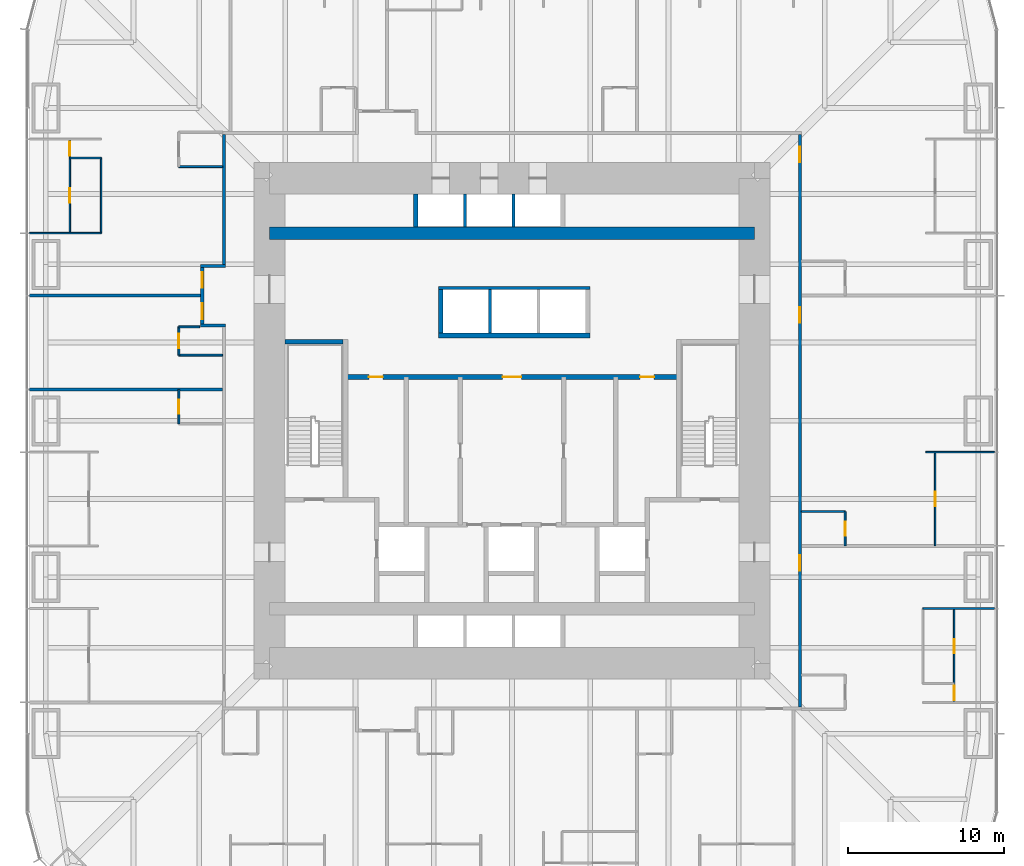
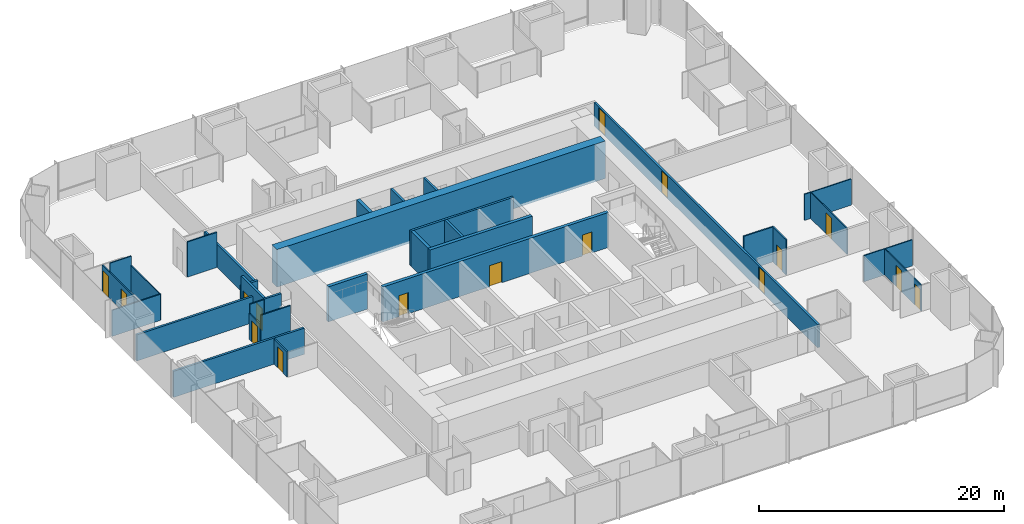
# One storey, part 14 of 17: 32 walls, 16 doors, 16 openings.
"""IFC4 building model written with IfcOpenShell, lengths in metres."""

from ifc_helpers import new_model, si_unit, direction, frame, frame_2d, origin, place, context, subcontext, project, spatial, rectangle, extrude, material, layer, layer_set, type_object, element, fill, save


model = new_model("IFC4")

# Units and contexts
model_context = context("Model", 3, precision=1e-05, world=origin(), true_north=direction((0.0, 1.0)))
body_context = subcontext(model_context, "Body", "Model", "MODEL_VIEW")
ifc_project = project(units=[si_unit("LENGTHUNIT", "METRE"), si_unit("AREAUNIT", "SQUARE_METRE"), si_unit("VOLUMEUNIT", "CUBIC_METRE"), si_unit("PLANEANGLEUNIT", "RADIAN"), si_unit("MASSUNIT", "GRAM", prefix="KILO")], contexts=[model_context])

# Site, building, storey
site_placement = place(None, origin())
site = spatial("IfcSite", under=ifc_project, at=site_placement, CompositionType="ELEMENT")
building_placement = place(site_placement, origin())
building = spatial("IfcBuilding", under=site, at=building_placement, Name="Khuree Lantern Residences", CompositionType="ELEMENT")
storey_placement = place(building_placement, frame((0.0, 0.0, 92.25)))
storey = spatial("IfcBuildingStorey", under=building, at=storey_placement, Name="L23", CompositionType="ELEMENT", Elevation=92.25)

# Wall, opening, door
ifc_material_1 = material(Name="Moisture-resistant gypsum board on steel studs", Category="steel")
ifc_layer_1 = layer(ifc_material_1, 0.125)
ifc_layer_set_1 = layer_set([ifc_layer_1], Name="BATHROOM WALL BTW125")
wall_type_1 = type_object("IfcWallType", Name="BATHROOM WALL BTW125", PredefinedType="PARTITIONING", material=ifc_layer_set_1)
wall_1_placement = place(storey_placement, frame((21.300048828125, -8.0, 0.0), z_axis=(0.0, 0.0, 1.0), x_axis=(0.0, 1.0, 0.0)))
wall_1 = element("IfcWall", 1, at=wall_1_placement, inside=storey, type_object=wall_type_1, Name="L23 BATHROOM WALL 01", PredefinedType="PARTITIONING", context=body_context, shape_type="SweptSolid", body=[
    extrude(rectangle(XDim=2.199951171875, YDim=0.125, at=frame_2d((1.10009765625, 0.0))), origin(), (0.0, 0.0, 1.0), 3.5),
])
opening_1_placement = place(wall_1_placement, frame((0.64990234375, 0.0, 0.0)))
opening_1 = element("IfcOpeningElement", 2, at=opening_1_placement, cuts=wall_1, Name="Opening 23-021", PredefinedType="OPENING", context=body_context, shape_type="SweptSolid", body=[
    extrude(rectangle(XDim=0.89990234375, YDim=2.10009765625, at=frame_2d((0.449951171875, 1.050048828125))), frame((0.0, 0.072509765625, 0.0), z_axis=(0.0, -1.0, 0.0), x_axis=(1.0, 0.0, 0.0)), (0.0, 0.0, 1.0), 0.14501953125),
])
ifc_material_2 = material(Name="Timber door leaf in hardwood frame", Category="wood")
door_type_1 = type_object("IfcDoorType", Name="BATHROOM DOOR 900X2100", OperationType="SINGLE_SWING_LEFT", PredefinedType="DOOR", material=ifc_material_2)
door_1_placement = place(opening_1_placement, origin())
door_1 = element("IfcDoor", 3, at=door_1_placement, inside=storey, type_object=door_type_1, Name="Bathroom door 23-021", OperationType="SINGLE_SWING_LEFT", OverallHeight=2.10009765625, OverallWidth=0.89990234375, PredefinedType="DOOR", context=body_context, shape_type="SweptSolid", body=[
    extrude(rectangle(XDim=0.89990234375, YDim=2.10009765625, at=frame_2d((0.449951171875, 1.050048828125))), frame((0.0, 0.02490234375, 0.0), z_axis=(0.0, -1.0, 0.0), x_axis=(1.0, 0.0, 0.0)), (0.0, 0.0, 1.0), 0.050048828125),
])
fill(opening_1, door_1)

# Walls
for number, where, z_axis, x_axis, name in (
    (4, (18.5, -5.800048828125, 0.0), (0.0, 0.0, 1.0), (1.0, 0.0, 0.0), "L23 BATHROOM WALL 01"),
    (5, (-18.5, 16.25, 0.0), (0.0, 0.0, 1.0), (-1.0, 0.0, 0.0), "L23 BATHROOM WALL 05"),
):
    element("IfcWall", number, at=place(storey_placement, frame(where, z_axis=z_axis, x_axis=x_axis)), inside=storey, type_object=wall_type_1, Name=name, PredefinedType="PARTITIONING", context=body_context, shape_type="SweptSolid", body=[
        extrude(rectangle(XDim=2.800048828125, YDim=0.125, at=frame_2d((1.39990234375, 0.0))), origin(), (0.0, 0.0, 1.0), 3.5),
    ])

# Wall, opening, door
wall_2_placement = place(storey_placement, frame((-21.300048828125, 6.0, 0.0), z_axis=(0.0, 0.0, 1.0), x_axis=(0.0, -1.0, 0.0)))
wall_2 = element("IfcWall", 6, at=wall_2_placement, inside=storey, type_object=wall_type_1, Name="L23 BATHROOM WALL 06", PredefinedType="PARTITIONING", context=body_context, shape_type="SweptSolid", body=[
    extrude(rectangle(XDim=1.800048828125, YDim=0.125, at=frame_2d((0.89990234375, 0.0))), origin(), (0.0, 0.0, 1.0), 2.60009765625),
])
opening_2_placement = place(wall_2_placement, frame((0.449951171875, 0.0, 0.0)))
opening_2 = element("IfcOpeningElement", 7, at=opening_2_placement, cuts=wall_2, Name="Opening 23-039", PredefinedType="OPENING", context=body_context, shape_type="SweptSolid", body=[
    extrude(rectangle(XDim=0.89990234375, YDim=2.10009765625, at=frame_2d((0.449951171875, 1.050048828125))), frame((0.0, 0.072509765625, 0.0), z_axis=(0.0, -1.0, 0.0), x_axis=(1.0, 0.0, 0.0)), (0.0, 0.0, 1.0), 0.14501953125),
])
door_2_placement = place(opening_2_placement, origin())
door_2 = element("IfcDoor", 8, at=door_2_placement, inside=storey, type_object=door_type_1, Name="Bathroom door 23-039", OperationType="SINGLE_SWING_LEFT", OverallHeight=2.10009765625, OverallWidth=0.89990234375, PredefinedType="DOOR", context=body_context, shape_type="SweptSolid", body=[
    extrude(rectangle(XDim=0.89990234375, YDim=2.10009765625, at=frame_2d((0.449951171875, 1.050048828125))), frame((0.0, 0.02490234375, 0.0), z_axis=(0.0, -1.0, 0.0), x_axis=(1.0, 0.0, 0.0)), (0.0, 0.0, 1.0), 0.050048828125),
])
fill(opening_2, door_2)

# Walls
wall_3_placement = place(storey_placement, frame((-19.969970703125, 6.0, 0.0), z_axis=(0.0, 0.0, 1.0), x_axis=(-1.0, 0.0, 0.0)))
element("IfcWall", 9, at=wall_3_placement, inside=storey, type_object=wall_type_1, Name="L23 BATHROOM WALL 06", PredefinedType="PARTITIONING", context=body_context, shape_type="SweptSolid", body=[
    extrude(rectangle(XDim=1.330078125, YDim=0.125, at=frame_2d((0.6650390625, 0.0))), origin(), (0.0, 0.0, 1.0), 3.5),
])
wall_4_placement = place(storey_placement, frame((-18.5, 4.199951171875, 0.0), z_axis=(0.0, 0.0, 1.0), x_axis=(-1.0, 0.0, 0.0)))
element("IfcWall", 10, at=wall_4_placement, inside=storey, type_object=wall_type_1, Name="L23 BATHROOM WALL 06", PredefinedType="PARTITIONING", context=body_context, shape_type="SweptSolid", body=[
    extrude(rectangle(XDim=2.800048828125, YDim=0.125, at=frame_2d((1.39990234375, 0.0))), origin(), (0.0, 0.0, 1.0), 3.5),
])

# Wall, opening, door
wall_5_placement = place(storey_placement, frame((-21.300048828125, 2.0, 0.0), z_axis=(0.0, 0.0, 1.0), x_axis=(0.0, -1.0, 0.0)))
wall_5 = element("IfcWall", 11, at=wall_5_placement, inside=storey, type_object=wall_type_1, Name="L23 BATHROOM WALL 07", PredefinedType="PARTITIONING", context=body_context, shape_type="SweptSolid", body=[
    extrude(rectangle(XDim=2.199951171875, YDim=0.125, at=frame_2d((1.10009765625, 0.0))), origin(), (0.0, 0.0, 1.0), 2.491943359375),
])
opening_3_placement = place(wall_5_placement, frame((0.64990234375, 0.0, 0.0)))
opening_3 = element("IfcOpeningElement", 12, at=opening_3_placement, cuts=wall_5, Name="Opening 23-043", PredefinedType="OPENING", context=body_context, shape_type="SweptSolid", body=[
    extrude(rectangle(XDim=0.89990234375, YDim=2.10009765625, at=frame_2d((0.449951171875, 1.050048828125))), frame((0.0, 0.072509765625, 0.0), z_axis=(0.0, -1.0, 0.0), x_axis=(1.0, 0.0, 0.0)), (0.0, 0.0, 1.0), 0.14501953125),
])
door_3_placement = place(opening_3_placement, origin())
door_3 = element("IfcDoor", 13, at=door_3_placement, inside=storey, type_object=door_type_1, Name="Bathroom door 23-043", OperationType="SINGLE_SWING_LEFT", OverallHeight=2.10009765625, OverallWidth=0.89990234375, PredefinedType="DOOR", context=body_context, shape_type="SweptSolid", body=[
    extrude(rectangle(XDim=0.89990234375, YDim=2.10009765625, at=frame_2d((0.449951171875, 1.050048828125))), frame((0.0, 0.02490234375, 0.0), z_axis=(0.0, -1.0, 0.0), x_axis=(1.0, 0.0, 0.0)), (0.0, 0.0, 1.0), 0.050048828125),
])
fill(opening_3, door_3)

# Walls
ifc_material_3 = material(Name="Dense concrete blockwork", Category="masonry")
ifc_layer_2 = layer(ifc_material_3, 0.300048828125)
ifc_layer_set_2 = layer_set([ifc_layer_2], Name="CORE PARTITION WALL CPW300 EI 120")
wall_type_2 = type_object("IfcWallType", Name="CORE PARTITION WALL CPW300 EI 120", PredefinedType="PARTITIONING", material=ifc_layer_set_2)
wall_6_placement = place(storey_placement, frame((-4.699951171875, 5.449951171875, 0.0), z_axis=(0.0, 0.0, 1.0), x_axis=(1.0, 0.0, 0.0)))
element("IfcWall", 14, at=wall_6_placement, inside=storey, type_object=wall_type_2, Name="L23 CORE WALL PHS", PredefinedType="PARTITIONING", context=body_context, shape_type="SweptSolid", body=[
    extrude(rectangle(XDim=9.699951171875, YDim=0.300048828125, at=frame_2d((4.85009765625, 0.0))), origin(), (0.0, 0.0, 1.0), 3.5),
])
wall_7_placement = place(storey_placement, frame((-4.550048828125, 5.60009765625, 0.0), z_axis=(0.0, 0.0, 1.0), x_axis=(0.0, 1.0, 0.0)))
element("IfcWall", 15, at=wall_7_placement, inside=storey, type_object=wall_type_2, Name="L23 CORE WALL PHW", PredefinedType="PARTITIONING", context=body_context, shape_type="SweptSolid", body=[
    extrude(rectangle(XDim=2.7998046875, YDim=0.300048828125, at=frame_2d((1.39990234375, 0.0))), origin(), (0.0, 0.0, 1.0), 3.5),
])
wall_8_placement = place(storey_placement, frame((-6.14990234375, 12.39990234375, 0.0), z_axis=(0.0, 0.0, 1.0), x_axis=(0.0, 1.0, 0.0)))
element("IfcWall", 16, at=wall_8_placement, inside=storey, type_object=wall_type_2, Name="L23 CORE WALL PLW", PredefinedType="PARTITIONING", context=body_context, shape_type="SweptSolid", body=[
    extrude(rectangle(XDim=2.10009765625, YDim=0.300048828125, at=frame_2d((1.050048828125, 0.0))), origin(), (0.0, 0.0, 1.0), 3.5),
])

# Wall, openings, doors
wall_9_placement = place(storey_placement, frame((-10.64990234375, 2.800048828125, 0.0), z_axis=(0.0, 0.0, 1.0), x_axis=(1.0, 0.0, 0.0)))
wall_9 = element("IfcWall", 17, at=wall_9_placement, inside=storey, type_object=wall_type_2, Name="L23 CORE WALL LLS", PredefinedType="PARTITIONING", context=body_context, shape_type="SweptSolid", body=[
    extrude(rectangle(XDim=21.2998046875, YDim=0.300048828125, at=frame_2d((10.64990234375, 0.0))), origin(), (0.0, 0.0, 1.0), 3.5),
])
opening_4_placement = place(wall_9_placement, frame((10.050048828125, 0.0, 0.0)))
opening_4 = element("IfcOpeningElement", 18, at=opening_4_placement, cuts=wall_9, Name="Opening 23-013", PredefinedType="OPENING", context=body_context, shape_type="SweptSolid", body=[
    extrude(rectangle(XDim=1.199951171875, YDim=2.10009765625, at=frame_2d((0.60009765625, 1.050048828125))), frame((0.0, 0.16015625, 0.0), z_axis=(0.0, -1.0, 0.0), x_axis=(1.0, 0.0, 0.0)), (0.0, 0.0, 1.0), 0.320068359375),
])
opening_5_placement = place(wall_9_placement, frame((1.492919921875, 0.0, 0.0)))
opening_5 = element("IfcOpeningElement", 19, at=opening_5_placement, cuts=wall_9, Name="Opening 23-017", PredefinedType="OPENING", context=body_context, shape_type="SweptSolid", body=[
    extrude(rectangle(XDim=0.89990234375, YDim=2.10009765625, at=frame_2d((0.449951171875, 1.050048828125))), frame((0.0, 0.16015625, 0.0), z_axis=(0.0, -1.0, 0.0), x_axis=(1.0, 0.0, 0.0)), (0.0, 0.0, 1.0), 0.320068359375),
])
opening_6_placement = place(wall_9_placement, frame((18.8359375, 0.0, 0.0)))
opening_6 = element("IfcOpeningElement", 20, at=opening_6_placement, cuts=wall_9, Name="Opening 23-019", PredefinedType="OPENING", context=body_context, shape_type="SweptSolid", body=[
    extrude(rectangle(XDim=0.89990234375, YDim=2.10009765625, at=frame_2d((0.449951171875, 1.050048828125))), frame((0.0, 0.16015625, 0.0), z_axis=(0.0, -1.0, 0.0), x_axis=(1.0, 0.0, 0.0)), (0.0, 0.0, 1.0), 0.320068359375),
])
ifc_material_4 = material(Name="Steel door leaf in steel frame", Category="steel")
door_type_2 = type_object("IfcDoorType", Name="DOOR 1200X2100 EI 60", OperationType="SINGLE_SWING_LEFT", PredefinedType="DOOR", material=ifc_material_4)
door_4_placement = place(opening_4_placement, origin())
door_4 = element("IfcDoor", 21, at=door_4_placement, inside=storey, type_object=door_type_2, Name="Service lift lobby door 23-013", OperationType="SINGLE_SWING_LEFT", OverallHeight=2.10009765625, OverallWidth=1.199951171875, PredefinedType="DOOR", context=body_context, shape_type="SweptSolid", body=[
    extrude(rectangle(XDim=1.199951171875, YDim=2.10009765625, at=frame_2d((0.60009765625, 1.050048828125))), frame((0.0, 0.02490234375, 0.0), z_axis=(0.0, -1.0, 0.0), x_axis=(1.0, 0.0, 0.0)), (0.0, 0.0, 1.0), 0.050048828125),
])
fill(opening_4, door_4)
door_type_3 = type_object("IfcDoorType", Name="DOOR 900X2100", OperationType="SINGLE_SWING_LEFT", PredefinedType="DOOR", material=ifc_material_2)
door_5_placement = place(opening_5_placement, origin())
door_5 = element("IfcDoor", 22, at=door_5_placement, inside=storey, type_object=door_type_3, Name="Residents' store door 23-017", OperationType="SINGLE_SWING_LEFT", OverallHeight=2.10009765625, OverallWidth=0.89990234375, PredefinedType="DOOR", context=body_context, shape_type="SweptSolid", body=[
    extrude(rectangle(XDim=0.89990234375, YDim=2.10009765625, at=frame_2d((0.449951171875, 1.050048828125))), frame((0.0, 0.02490234375, 0.0), z_axis=(0.0, -1.0, 0.0), x_axis=(1.0, 0.0, 0.0)), (0.0, 0.0, 1.0), 0.050048828125),
])
fill(opening_5, door_5)
door_type_4 = type_object("IfcDoorType", Name="DOOR 900X2100 RIGHT HAND", OperationType="SINGLE_SWING_RIGHT", PredefinedType="DOOR", material=ifc_material_2)
door_6_placement = place(opening_6_placement, origin())
door_6 = element("IfcDoor", 23, at=door_6_placement, inside=storey, type_object=door_type_4, Name="Residents' store door 23-019", OperationType="SINGLE_SWING_RIGHT", OverallHeight=2.10009765625, OverallWidth=0.89990234375, PredefinedType="DOOR", context=body_context, shape_type="SweptSolid", body=[
    extrude(rectangle(XDim=0.89990234375, YDim=2.10009765625, at=frame_2d((0.449951171875, 1.050048828125))), frame((0.0, 0.02490234375, 0.0), z_axis=(0.0, -1.0, 0.0), x_axis=(1.0, 0.0, 0.0)), (0.0, 0.0, 1.0), 0.050048828125),
])
fill(opening_6, door_6)

ifc_material_5 = material(Name="Gypsum board on steel studs", Category="steel")
ifc_layer_3 = layer(ifc_material_5, 0.199951171875)
ifc_layer_set_3 = layer_set([ifc_layer_3], Name="CORRIDOR WALL CRW200 EI 60")
wall_type_3 = type_object("IfcWallType", Name="CORRIDOR WALL CRW200 EI 60", PredefinedType="PARTITIONING", material=ifc_layer_set_3)
wall_10_placement = place(storey_placement, frame((18.39990234375, -18.300048828125, 0.0), z_axis=(0.0, 0.0, 1.0), x_axis=(0.0, 1.0, 0.0)))
wall_10 = element("IfcWall", 24, at=wall_10_placement, inside=storey, type_object=wall_type_3, Name="L23 CORRIDOR WALL EAST 1", PredefinedType="PARTITIONING", context=body_context, shape_type="SweptSolid", body=[
    extrude(rectangle(XDim=36.60009765625, YDim=0.199951171875, at=frame_2d((18.300048828125, 0.0))), origin(), (0.0, 0.0, 1.0), 2.300048828125),
])
opening_7_placement = place(wall_10_placement, frame((24.570068359375, 0.0, 0.0)))
opening_7 = element("IfcOpeningElement", 25, at=opening_7_placement, cuts=wall_10, Name="Opening 23-022", PredefinedType="OPENING", context=body_context, shape_type="SweptSolid", body=[
    extrude(rectangle(XDim=1.0, YDim=2.199951171875, at=frame_2d((0.5, 1.10009765625))), frame((0.0, 0.10986328125, 0.0), z_axis=(0.0, -1.0, 0.0), x_axis=(1.0, 0.0, 0.0)), (0.0, 0.0, 1.0), 0.219970703125),
])
opening_8_placement = place(wall_10_placement, frame((34.820068359375, 0.0, 0.0)))
opening_8 = element("IfcOpeningElement", 26, at=opening_8_placement, cuts=wall_10, Name="Opening 23-026", PredefinedType="OPENING", context=body_context, shape_type="SweptSolid", body=[
    extrude(rectangle(XDim=1.0, YDim=2.199951171875, at=frame_2d((0.5, 1.10009765625))), frame((0.0, 0.10986328125, 0.0), z_axis=(0.0, -1.0, 0.0), x_axis=(1.0, 0.0, 0.0)), (0.0, 0.0, 1.0), 0.219970703125),
])
opening_9_placement = place(wall_10_placement, frame((8.699951171875, 0.0, 0.0)))
opening_9 = element("IfcOpeningElement", 27, at=opening_9_placement, cuts=wall_10, Name="Opening 23-059", PredefinedType="OPENING", context=body_context, shape_type="SweptSolid", body=[
    extrude(rectangle(XDim=1.0, YDim=2.199951171875, at=frame_2d((0.5, 1.10009765625))), frame((0.0, 0.10986328125, 0.0), z_axis=(0.0, -1.0, 0.0), x_axis=(1.0, 0.0, 0.0)), (0.0, 0.0, 1.0), 0.219970703125),
])
door_type_5 = type_object("IfcDoorType", Name="APARTMENT ENTRANCE DOOR 1000X2200 EI 30S", OperationType="SINGLE_SWING_LEFT", PredefinedType="DOOR", material=ifc_material_2)
door_7_placement = place(opening_7_placement, origin())
door_7 = element("IfcDoor", 28, at=door_7_placement, inside=storey, type_object=door_type_5, Name="Apartment 01 entrance door 23-022", OperationType="SINGLE_SWING_LEFT", OverallHeight=2.199951171875, OverallWidth=1.0, PredefinedType="DOOR", context=body_context, shape_type="SweptSolid", body=[
    extrude(rectangle(XDim=1.0, YDim=2.199951171875, at=frame_2d((0.5, 1.10009765625))), frame((0.0, 0.02490234375, 0.0), z_axis=(0.0, -1.0, 0.0), x_axis=(1.0, 0.0, 0.0)), (0.0, 0.0, 1.0), 0.050048828125),
])
fill(opening_7, door_7)
door_8_placement = place(opening_9_placement, origin())
door_8 = element("IfcDoor", 29, at=door_8_placement, inside=storey, type_object=door_type_5, Name="Apartment 11 entrance door 23-059", OperationType="SINGLE_SWING_LEFT", OverallHeight=2.199951171875, OverallWidth=1.0, PredefinedType="DOOR", context=body_context, shape_type="SweptSolid", body=[
    extrude(rectangle(XDim=1.0, YDim=2.199951171875, at=frame_2d((0.5, 1.10009765625))), frame((0.0, 0.02490234375, 0.0), z_axis=(0.0, -1.0, 0.0), x_axis=(1.0, 0.0, 0.0)), (0.0, 0.0, 1.0), 0.050048828125),
])
fill(opening_9, door_8)
door_type_6 = type_object("IfcDoorType", Name="APARTMENT ENTRANCE DOOR 1000X2200 EI 30S RIGHT HAND", OperationType="SINGLE_SWING_RIGHT", PredefinedType="DOOR", material=ifc_material_2)
door_9_placement = place(opening_8_placement, origin())
door_9 = element("IfcDoor", 30, at=door_9_placement, inside=storey, type_object=door_type_6, Name="Apartment 02 entrance door 23-026", OperationType="SINGLE_SWING_RIGHT", OverallHeight=2.199951171875, OverallWidth=1.0, PredefinedType="DOOR", context=body_context, shape_type="SweptSolid", body=[
    extrude(rectangle(XDim=1.0, YDim=2.199951171875, at=frame_2d((0.5, 1.10009765625))), frame((0.0, 0.02490234375, 0.0), z_axis=(0.0, -1.0, 0.0), x_axis=(1.0, 0.0, 0.0)), (0.0, 0.0, 1.0), 0.050048828125),
])
fill(opening_8, door_9)

# Walls
wall_11_placement = place(storey_placement, frame((-18.39990234375, 18.300048828125, 0.0), z_axis=(0.0, 0.0, 1.0), x_axis=(0.0, -1.0, 0.0)))
element("IfcWall", 31, at=wall_11_placement, inside=storey, type_object=wall_type_3, Name="L23 CORRIDOR WALL WEST 1", PredefinedType="PARTITIONING", context=body_context, shape_type="SweptSolid", body=[
    extrude(rectangle(XDim=8.300048828125, YDim=0.199951171875, at=frame_2d((4.14990234375, 0.0))), origin(), (0.0, 0.0, 1.0), 2.300048828125),
])
wall_12_placement = place(storey_placement, frame((-18.300048828125, 9.89990234375, 0.0), z_axis=(0.0, 0.0, 1.0), x_axis=(-1.0, 0.0, 0.0)))
element("IfcWall", 32, at=wall_12_placement, inside=storey, type_object=wall_type_3, Name="L23 CORRIDOR ALCOVE WALL WEST", PredefinedType="PARTITIONING", context=body_context, shape_type="SweptSolid", body=[
    extrude(rectangle(XDim=1.599853515625, YDim=0.199951171875, at=frame_2d((0.7998046875, 0.0))), origin(), (0.0, 0.0, 1.0), 2.491943359375),
])
wall_13_placement = place(storey_placement, frame((-18.300048828125, 6.10009765625, 0.0), z_axis=(0.0, 0.0, 1.0), x_axis=(-1.0, 0.0, 0.0)))
element("IfcWall", 33, at=wall_13_placement, inside=storey, type_object=wall_type_3, Name="L23 CORRIDOR ALCOVE WALL WEST", PredefinedType="PARTITIONING", context=body_context, shape_type="SweptSolid", body=[
    extrude(rectangle(XDim=1.599853515625, YDim=0.199951171875, at=frame_2d((0.7998046875, 0.0))), origin(), (0.0, 0.0, 1.0), 3.5),
])

# Wall, openings, doors
wall_14_placement = place(storey_placement, frame((-19.800048828125, 9.800048828125, 0.0), z_axis=(0.0, 0.0, 1.0), x_axis=(0.0, -1.0, 0.0)))
wall_14 = element("IfcWall", 34, at=wall_14_placement, inside=storey, type_object=wall_type_3, Name="L23 CORRIDOR ALCOVE WALL WEST", PredefinedType="PARTITIONING", context=body_context, shape_type="SweptSolid", body=[
    extrude(rectangle(XDim=3.60009765625, YDim=0.199951171875, at=frame_2d((1.800048828125, 0.0))), origin(), (0.0, 0.0, 1.0), 3.5),
])
opening_10_placement = place(wall_14_placement, frame((0.300048828125, 0.0, 0.0)))
opening_10 = element("IfcOpeningElement", 35, at=opening_10_placement, cuts=wall_14, Name="Opening 23-038", PredefinedType="OPENING", context=body_context, shape_type="SweptSolid", body=[
    extrude(rectangle(XDim=1.0, YDim=2.199951171875, at=frame_2d((0.5, 1.10009765625))), frame((0.0, 0.10986328125, 0.0), z_axis=(0.0, -1.0, 0.0), x_axis=(1.0, 0.0, 0.0)), (0.0, 0.0, 1.0), 0.219970703125),
])
opening_11_placement = place(wall_14_placement, frame((2.300048828125, 0.0, 0.0)))
opening_11 = element("IfcOpeningElement", 36, at=opening_11_placement, cuts=wall_14, Name="Opening 23-040", PredefinedType="OPENING", context=body_context, shape_type="SweptSolid", body=[
    extrude(rectangle(XDim=1.0, YDim=2.199951171875, at=frame_2d((0.5, 1.10009765625))), frame((0.0, 0.10986328125, 0.0), z_axis=(0.0, -1.0, 0.0), x_axis=(1.0, 0.0, 0.0)), (0.0, 0.0, 1.0), 0.219970703125),
])
door_10_placement = place(opening_10_placement, origin())
door_10 = element("IfcDoor", 37, at=door_10_placement, inside=storey, type_object=door_type_5, Name="Apartment 05 entrance door 23-038", OperationType="SINGLE_SWING_LEFT", OverallHeight=2.199951171875, OverallWidth=1.0, PredefinedType="DOOR", context=body_context, shape_type="SweptSolid", body=[
    extrude(rectangle(XDim=1.0, YDim=2.199951171875, at=frame_2d((0.5, 1.10009765625))), frame((0.0, 0.02490234375, 0.0), z_axis=(0.0, -1.0, 0.0), x_axis=(1.0, 0.0, 0.0)), (0.0, 0.0, 1.0), 0.050048828125),
])
fill(opening_10, door_10)
door_11_placement = place(opening_11_placement, origin())
door_11 = element("IfcDoor", 38, at=door_11_placement, inside=storey, type_object=door_type_6, Name="Apartment 06 entrance door 23-040", OperationType="SINGLE_SWING_RIGHT", OverallHeight=2.199951171875, OverallWidth=1.0, PredefinedType="DOOR", context=body_context, shape_type="SweptSolid", body=[
    extrude(rectangle(XDim=1.0, YDim=2.199951171875, at=frame_2d((0.5, 1.10009765625))), frame((0.0, 0.02490234375, 0.0), z_axis=(0.0, -1.0, 0.0), x_axis=(1.0, 0.0, 0.0)), (0.0, 0.0, 1.0), 0.050048828125),
])
fill(opening_11, door_11)

# Walls
ifc_layer_4 = layer(ifc_material_5, 0.199951171875)
ifc_layer_set_4 = layer_set([ifc_layer_4], Name="DEMISING WALL DMW200 EI 90")
wall_type_4 = type_object("IfcWallType", Name="DEMISING WALL DMW200 EI 90", PredefinedType="PARTITIONING", material=ifc_layer_set_4)
wall_15_placement = place(storey_placement, frame((-19.89990234375, 8.0, 0.0), z_axis=(0.0, 0.0, 1.0), x_axis=(-1.0, 0.0, 0.0)))
element("IfcWall", 39, at=wall_15_placement, inside=storey, type_object=wall_type_4, Name="L23 DEMISING WALL 06", PredefinedType="PARTITIONING", context=body_context, shape_type="SweptSolid", body=[
    extrude(rectangle(XDim=10.9501953125, YDim=0.199951171875, at=frame_2d((5.47509765625, 0.0))), origin(), (0.0, 0.0, 1.0), 2.610107421875),
])
wall_16_placement = place(storey_placement, frame((-18.5, 2.0, 0.0), z_axis=(0.0, 0.0, 1.0), x_axis=(-1.0, 0.0, 0.0)))
element("IfcWall", 40, at=wall_16_placement, inside=storey, type_object=wall_type_4, Name="L23 DEMISING WALL 07", PredefinedType="PARTITIONING", context=body_context, shape_type="SweptSolid", body=[
    extrude(rectangle(XDim=12.35009765625, YDim=0.199951171875, at=frame_2d((6.175048828125, 0.0))), origin(), (0.0, 0.0, 1.0), 2.610107421875),
])
ifc_layer_5 = layer(ifc_material_5, 0.10009765625)
ifc_layer_set_5 = layer_set([ifc_layer_5], Name="PARTITION PT100")
wall_type_5 = type_object("IfcWallType", Name="PARTITION PT100", PredefinedType="PARTITIONING", material=ifc_layer_set_5)
wall_17_placement = place(storey_placement, frame((26.449951171875, -2.0, 0.0), z_axis=(0.0, 0.0, 1.0), x_axis=(1.0, 0.0, 0.0)))
element("IfcWall", 41, at=wall_17_placement, inside=storey, type_object=wall_type_5, Name="L23 PARTITION 01", PredefinedType="PARTITIONING", context=body_context, shape_type="SweptSolid", body=[
    extrude(rectangle(XDim=4.400146484375, YDim=0.10009765625, at=frame_2d((2.2001953125, 0.0))), origin(), (0.0, 0.0, 1.0), 2.610107421875),
])
for number, where, z_axis, x_axis, name in (
    (42, (-26.2666015625, 12.0, 0.0), (0.0, 0.0, 1.0), (-1.0, 0.0, 0.0), "L23 PARTITION 05"),
    (43, (26.2666015625, -12.0, 0.0), (0.0, 0.0, 1.0), (1.0, 0.0, 0.0), "L23 PARTITION 11"),
):
    element("IfcWall", number, at=place(storey_placement, frame(where, z_axis=z_axis, x_axis=x_axis)), inside=storey, type_object=wall_type_5, Name=name, PredefinedType="PARTITIONING", context=body_context, shape_type="SweptSolid", body=[
        extrude(rectangle(XDim=4.58349609375, YDim=0.10009765625, at=frame_2d((2.291748046875, 0.0))), origin(), (0.0, 0.0, 1.0), 2.610107421875),
    ])

# Wall, opening, door
wall_18_placement = place(storey_placement, frame((27.050048828125, -8.0, 0.0), z_axis=(0.0, 0.0, 1.0), x_axis=(0.0, 1.0, 0.0)))
wall_18 = element("IfcWall", 44, at=wall_18_placement, inside=storey, type_object=wall_type_5, Name="L23 PARTITION 01", PredefinedType="PARTITIONING", context=body_context, shape_type="SweptSolid", body=[
    extrude(rectangle(XDim=6.0, YDim=0.10009765625, at=frame_2d((3.0, 0.0))), origin(), (0.0, 0.0, 1.0), 2.60009765625),
])
opening_12_placement = place(wall_18_placement, frame((2.550048828125, 0.0, 0.0)))
opening_12 = element("IfcOpeningElement", 45, at=opening_12_placement, cuts=wall_18, Name="Opening 23-020", PredefinedType="OPENING", context=body_context, shape_type="SweptSolid", body=[
    extrude(rectangle(XDim=0.89990234375, YDim=2.10009765625, at=frame_2d((0.449951171875, 1.050048828125))), frame((0.0, 0.06005859375, 0.0), z_axis=(0.0, -1.0, 0.0), x_axis=(1.0, 0.0, 0.0)), (0.0, 0.0, 1.0), 0.1201171875),
])
door_type_7 = type_object("IfcDoorType", Name="BEDROOM DOOR 900X2100", OperationType="SINGLE_SWING_LEFT", PredefinedType="DOOR", material=ifc_material_2)
door_12_placement = place(opening_12_placement, origin())
door_12 = element("IfcDoor", 46, at=door_12_placement, inside=storey, type_object=door_type_7, Name="Bedroom door 23-020", OperationType="SINGLE_SWING_LEFT", OverallHeight=2.10009765625, OverallWidth=0.89990234375, PredefinedType="DOOR", context=body_context, shape_type="SweptSolid", body=[
    extrude(rectangle(XDim=0.89990234375, YDim=2.10009765625, at=frame_2d((0.449951171875, 1.050048828125))), frame((0.0, 0.02490234375, 0.0), z_axis=(0.0, -1.0, 0.0), x_axis=(1.0, 0.0, 0.0)), (0.0, 0.0, 1.0), 0.050048828125),
])
fill(opening_12, door_12)

# Wall, openings, doors
wall_19_placement = place(storey_placement, frame((-28.2666015625, 18.0, 0.0), z_axis=(0.0, 0.0, 1.0), x_axis=(0.0, -1.0, 0.0)))
wall_19 = element("IfcWall", 47, at=wall_19_placement, inside=storey, type_object=wall_type_5, Name="L23 PARTITION 05", PredefinedType="PARTITIONING", context=body_context, shape_type="SweptSolid", body=[
    extrude(rectangle(XDim=6.0, YDim=0.10009765625, at=frame_2d((3.0, 0.0))), origin(), (0.0, 0.0, 1.0), 2.60009765625),
])
opening_13_placement = place(wall_19_placement, frame((0.14990234375, 0.0, 0.0)))
opening_13 = element("IfcOpeningElement", 48, at=opening_13_placement, cuts=wall_19, Name="Opening 23-035", PredefinedType="OPENING", context=body_context, shape_type="SweptSolid", body=[
    extrude(rectangle(XDim=0.89990234375, YDim=2.10009765625, at=frame_2d((0.449951171875, 1.050048828125))), frame((0.0, 0.06005859375, 0.0), z_axis=(0.0, -1.0, 0.0), x_axis=(1.0, 0.0, 0.0)), (0.0, 0.0, 1.0), 0.1201171875),
])
opening_14_placement = place(wall_19_placement, frame((3.14990234375, 0.0, 0.0)))
opening_14 = element("IfcOpeningElement", 49, at=opening_14_placement, cuts=wall_19, Name="Opening 23-036", PredefinedType="OPENING", context=body_context, shape_type="SweptSolid", body=[
    extrude(rectangle(XDim=0.89990234375, YDim=2.10009765625, at=frame_2d((0.449951171875, 1.050048828125))), frame((0.0, 0.06005859375, 0.0), z_axis=(0.0, -1.0, 0.0), x_axis=(1.0, 0.0, 0.0)), (0.0, 0.0, 1.0), 0.1201171875),
])
door_13_placement = place(opening_13_placement, origin())
door_13 = element("IfcDoor", 50, at=door_13_placement, inside=storey, type_object=door_type_7, Name="Bedroom door 23-035", OperationType="SINGLE_SWING_LEFT", OverallHeight=2.10009765625, OverallWidth=0.89990234375, PredefinedType="DOOR", context=body_context, shape_type="SweptSolid", body=[
    extrude(rectangle(XDim=0.89990234375, YDim=2.10009765625, at=frame_2d((0.449951171875, 1.050048828125))), frame((0.0, 0.02490234375, 0.0), z_axis=(0.0, -1.0, 0.0), x_axis=(1.0, 0.0, 0.0)), (0.0, 0.0, 1.0), 0.050048828125),
])
fill(opening_13, door_13)
door_14_placement = place(opening_14_placement, origin())
door_14 = element("IfcDoor", 51, at=door_14_placement, inside=storey, type_object=door_type_3, Name="Wardrobe door 23-036", OperationType="SINGLE_SWING_LEFT", OverallHeight=2.10009765625, OverallWidth=0.89990234375, PredefinedType="DOOR", context=body_context, shape_type="SweptSolid", body=[
    extrude(rectangle(XDim=0.89990234375, YDim=2.10009765625, at=frame_2d((0.449951171875, 1.050048828125))), frame((0.0, 0.02490234375, 0.0), z_axis=(0.0, -1.0, 0.0), x_axis=(1.0, 0.0, 0.0)), (0.0, 0.0, 1.0), 0.050048828125),
])
fill(opening_14, door_14)

# Walls
wall_20_placement = place(storey_placement, frame((-26.2666015625, 16.800048828125, 0.0), z_axis=(0.0, 0.0, 1.0), x_axis=(-1.0, 0.0, 0.0)))
element("IfcWall", 52, at=wall_20_placement, inside=storey, type_object=wall_type_5, Name="L23 PARTITION 05", PredefinedType="PARTITIONING", context=body_context, shape_type="SweptSolid", body=[
    extrude(rectangle(XDim=2.0, YDim=0.10009765625, at=frame_2d((1.0, 0.0))), origin(), (0.0, 0.0, 1.0), 3.5),
])
wall_21_placement = place(storey_placement, frame((-26.2666015625, 16.800048828125, 0.0), z_axis=(0.0, 0.0, 1.0), x_axis=(0.0, -1.0, 0.0)))
element("IfcWall", 53, at=wall_21_placement, inside=storey, type_object=wall_type_5, Name="L23 PARTITION 05", PredefinedType="PARTITIONING", context=body_context, shape_type="SweptSolid", body=[
    extrude(rectangle(XDim=4.800048828125, YDim=0.10009765625, at=frame_2d((2.39990234375, 0.0))), origin(), (0.0, 0.0, 1.0), 2.60009765625),
])

# Wall, openings, doors
wall_22_placement = place(storey_placement, frame((28.2666015625, -18.0, 0.0), z_axis=(0.0, 0.0, 1.0), x_axis=(0.0, 1.0, 0.0)))
wall_22 = element("IfcWall", 54, at=wall_22_placement, inside=storey, type_object=wall_type_5, Name="L23 PARTITION 11", PredefinedType="PARTITIONING", context=body_context, shape_type="SweptSolid", body=[
    extrude(rectangle(XDim=6.0, YDim=0.10009765625, at=frame_2d((3.0, 0.0))), origin(), (0.0, 0.0, 1.0), 2.60009765625),
])
opening_15_placement = place(wall_22_placement, frame((0.14990234375, 0.0, 0.0)))
opening_15 = element("IfcOpeningElement", 55, at=opening_15_placement, cuts=wall_22, Name="Opening 23-056", PredefinedType="OPENING", context=body_context, shape_type="SweptSolid", body=[
    extrude(rectangle(XDim=0.89990234375, YDim=2.10009765625, at=frame_2d((0.449951171875, 1.050048828125))), frame((0.0, 0.06005859375, 0.0), z_axis=(0.0, -1.0, 0.0), x_axis=(1.0, 0.0, 0.0)), (0.0, 0.0, 1.0), 0.1201171875),
])
opening_16_placement = place(wall_22_placement, frame((3.14990234375, 0.0, 0.0)))
opening_16 = element("IfcOpeningElement", 56, at=opening_16_placement, cuts=wall_22, Name="Opening 23-057", PredefinedType="OPENING", context=body_context, shape_type="SweptSolid", body=[
    extrude(rectangle(XDim=0.89990234375, YDim=2.10009765625, at=frame_2d((0.449951171875, 1.050048828125))), frame((0.0, 0.06005859375, 0.0), z_axis=(0.0, -1.0, 0.0), x_axis=(1.0, 0.0, 0.0)), (0.0, 0.0, 1.0), 0.1201171875),
])
door_15_placement = place(opening_15_placement, origin())
door_15 = element("IfcDoor", 57, at=door_15_placement, inside=storey, type_object=door_type_7, Name="Bedroom door 23-056", OperationType="SINGLE_SWING_LEFT", OverallHeight=2.10009765625, OverallWidth=0.89990234375, PredefinedType="DOOR", context=body_context, shape_type="SweptSolid", body=[
    extrude(rectangle(XDim=0.89990234375, YDim=2.10009765625, at=frame_2d((0.449951171875, 1.050048828125))), frame((0.0, 0.02490234375, 0.0), z_axis=(0.0, -1.0, 0.0), x_axis=(1.0, 0.0, 0.0)), (0.0, 0.0, 1.0), 0.050048828125),
])
fill(opening_15, door_15)
door_16_placement = place(opening_16_placement, origin())
door_16 = element("IfcDoor", 58, at=door_16_placement, inside=storey, type_object=door_type_3, Name="Wardrobe door 23-057", OperationType="SINGLE_SWING_LEFT", OverallHeight=2.10009765625, OverallWidth=0.89990234375, PredefinedType="DOOR", context=body_context, shape_type="SweptSolid", body=[
    extrude(rectangle(XDim=0.89990234375, YDim=2.10009765625, at=frame_2d((0.449951171875, 1.050048828125))), frame((0.0, 0.02490234375, 0.0), z_axis=(0.0, -1.0, 0.0), x_axis=(1.0, 0.0, 0.0)), (0.0, 0.0, 1.0), 0.050048828125),
])
fill(opening_16, door_16)

# Walls
ifc_layer_6 = layer(ifc_material_3, 0.199951171875)
ifc_layer_set_6 = layer_set([ifc_layer_6], Name="SHAFT WALL SHW200 EI 120")
wall_type_6 = type_object("IfcWallType", Name="SHAFT WALL SHW200 EI 120", PredefinedType="PARTITIONING", material=ifc_layer_set_6)
wall_23_placement = place(storey_placement, frame((-4.699951171875, 8.5, 0.0), z_axis=(0.0, 0.0, 1.0), x_axis=(1.0, 0.0, 0.0)))
element("IfcWall", 59, at=wall_23_placement, inside=storey, type_object=wall_type_6, Name="L23 CORE WALL PHN", PredefinedType="PARTITIONING", context=body_context, shape_type="SweptSolid", body=[
    extrude(rectangle(XDim=9.699951171875, YDim=0.199951171875, at=frame_2d((4.85009765625, 0.0))), origin(), (0.0, 0.0, 1.0), 3.5),
])
wall_24_placement = place(storey_placement, frame((-1.39990234375, 5.60009765625, 0.0), z_axis=(0.0, 0.0, 1.0), x_axis=(0.0, 1.0, 0.0)))
element("IfcWall", 60, at=wall_24_placement, inside=storey, type_object=wall_type_6, Name="L23 CORE WALL PHD1", PredefinedType="PARTITIONING", context=body_context, shape_type="SweptSolid", body=[
    extrude(rectangle(XDim=2.7998046875, YDim=0.199951171875, at=frame_2d((1.39990234375, 0.0))), origin(), (0.0, 0.0, 1.0), 3.5),
])
for number, where, z_axis, x_axis, name in (
    (61, (-3.0, 12.39990234375, 0.0), (0.0, 0.0, 1.0), (0.0, 1.0, 0.0), "L23 CORE WALL PLD1"),
    (62, (0.10009765625, 12.39990234375, 0.0), (0.0, 0.0, 1.0), (0.0, 1.0, 0.0), "L23 CORE WALL PLD2"),
):
    element("IfcWall", number, at=place(storey_placement, frame(where, z_axis=z_axis, x_axis=x_axis)), inside=storey, type_object=wall_type_6, Name=name, PredefinedType="PARTITIONING", context=body_context, shape_type="SweptSolid", body=[
        extrude(rectangle(XDim=2.10009765625, YDim=0.199951171875, at=frame_2d((1.050048828125, 0.0))), origin(), (0.0, 0.0, 1.0), 3.5),
    ])
ifc_material_6 = material(Name="Concrete C70/85", Category="concrete")
ifc_layer_7 = layer(ifc_material_6, 0.800048828125)
ifc_layer_set_7 = layer_set([ifc_layer_7], Name="SP800-C70 CORE SPINE WALL C70 800")
wall_type_7 = type_object("IfcWallType", Name="SP800-C70 CORE SPINE WALL C70 800", PredefinedType="SHEAR", material=ifc_layer_set_7)
wall_25_placement = place(storey_placement, frame((-15.5, 12.0, -0.25), z_axis=(0.0, 0.0, 1.0), x_axis=(1.0, 0.0, 0.0)))
element("IfcWall", 63, at=wall_25_placement, inside=storey, type_object=wall_type_7, Name="Core wall SPN", PredefinedType="SHEAR", context=body_context, shape_type="SweptSolid", body=[
    extrude(rectangle(XDim=31.0, YDim=0.800048828125, at=frame_2d((15.5, 0.0))), origin(), (0.0, 0.0, 1.0), 3.75),
])
ifc_material_7 = material(Name="Concrete C50/60", Category="concrete")
ifc_layer_8 = layer(ifc_material_7, 0.300048828125)
ifc_layer_set_8 = layer_set([ifc_layer_8], Name="STAIR WALL SRW300 C50/60 REI 240")
wall_type_8 = type_object("IfcWallType", Name="STAIR WALL SRW300 C50/60 REI 240", PredefinedType="SOLIDWALL", material=ifc_layer_set_8)
wall_26_placement = place(storey_placement, frame((-14.5, 5.050048828125, 0.0), z_axis=(0.0, 0.0, 1.0), x_axis=(1.0, 0.0, 0.0)))
element("IfcWall", 64, at=wall_26_placement, inside=storey, type_object=wall_type_8, Name="L23 STAIR WALL ST1N", PredefinedType="SOLIDWALL", context=body_context, shape_type="SweptSolid", body=[
    extrude(rectangle(XDim=3.699951171875, YDim=0.300048828125, at=frame_2d((1.85009765625, 0.0))), origin(), (0.0, 0.0, 1.0), 3.5),
])

save(model, "model.ifc")
